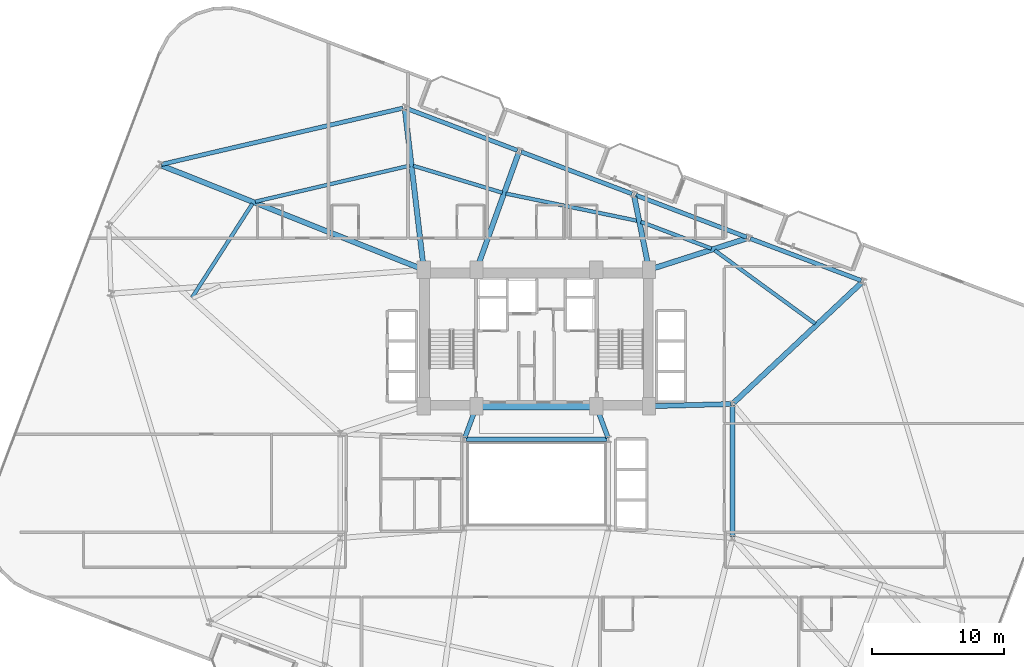
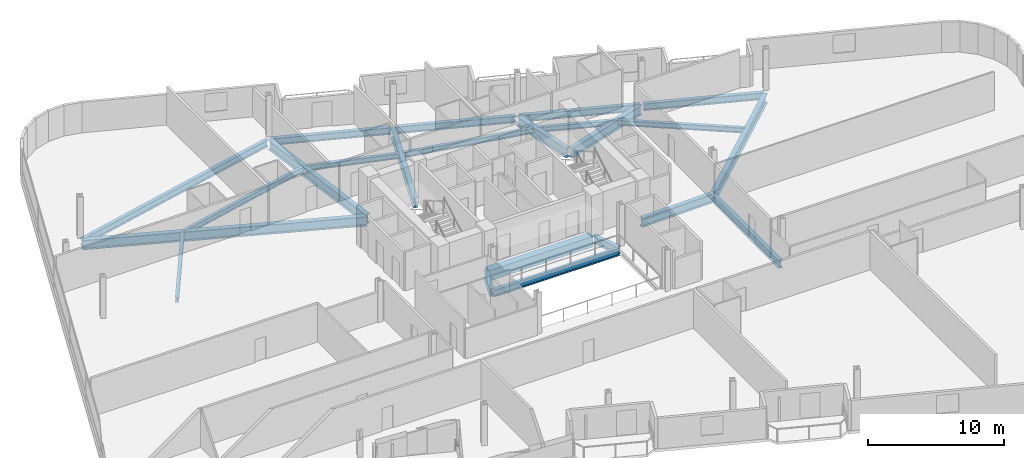
# One storey, part 9 of 24: 23 beams.
"""IFC4 building model written with IfcOpenShell, lengths in metres."""

from ifc_helpers import new_model, si_unit, direction, frame, origin, origin_2d, place, context, subcontext, project, spatial, rectangle, i_section, extrude, material, material_profile, profile_set, type_object, element, save


model = new_model("IFC4")

# Units and contexts
model_context = context("Model", 3, precision=1e-05, world=origin(), true_north=direction((0.0, 1.0)))
body_context = subcontext(model_context, "Body", "Model", "MODEL_VIEW")
ifc_project = project(units=[si_unit("LENGTHUNIT", "METRE"), si_unit("AREAUNIT", "SQUARE_METRE"), si_unit("VOLUMEUNIT", "CUBIC_METRE"), si_unit("PLANEANGLEUNIT", "RADIAN"), si_unit("MASSUNIT", "GRAM", prefix="KILO")], contexts=[model_context])

# Site, building, storey
site_placement = place(None, origin())
site = spatial("IfcSite", under=ifc_project, at=site_placement, CompositionType="ELEMENT")
building_placement = place(site_placement, origin())
building = spatial("IfcBuilding", under=site, at=building_placement, Name="Varnelok Gate Tower", CompositionType="ELEMENT")
storey_placement = place(building_placement, frame((0.0, 0.0, 94.699951171875)))
storey = spatial("IfcBuildingStorey", under=building, at=storey_placement, Name="L23", CompositionType="ELEMENT", Elevation=94.699951171875)

# Beams
ifc_material_1 = material(Name="Structural Steel ASTM A992 Grade 50", Category="steel")
ifc_material_profile_1 = material_profile(ifc_material_1, i_section(OverallWidth=0.280029296875, OverallDepth=0.462890625, WebThickness=0.0107421875, FlangeThickness=0.017333984375, FilletRadius=0.014892578125, at=origin_2d()), Name="W18X76")
ifc_profile_set_1 = profile_set([ifc_material_profile_1], Name="Structural Steel ASTM A992 Grade 50")
beam_type_1 = type_object("IfcBeamType", Name="BM-JST-W18X76", PredefinedType="JOIST", material=ifc_profile_set_1)
beam_1_placement = place(storey_placement, frame((60.24609375, 34.977783203125, -0.4814453125), z_axis=(-0.807571934506, 0.589769082437, 0.0), x_axis=(-0.589769082437, -0.807571934506, 0.0)))
element("IfcBeam", 1, at=beam_1_placement, inside=storey, type_object=beam_type_1, Name="L23 Sector Floor Joist 7", PredefinedType="JOIST", context=body_context, shape_type="SweptSolid", body=[
    extrude(i_section(OverallWidth=0.280029296875, OverallDepth=0.462890625, WebThickness=0.0107421875, FlangeThickness=0.017333984375, FilletRadius=0.014892578125, at=origin_2d()), origin(), (0.0, 0.0, 1.0), 9.39892578125),
])
beam_2_placement = place(storey_placement, frame((52.411865234375, 40.6533203125, -0.4814453125), z_axis=(-0.935227094529, 0.35404841711, 0.0), x_axis=(-0.35404841711, -0.935227094529, 0.0)))
element("IfcBeam", 2, at=beam_2_placement, inside=storey, type_object=beam_type_1, Name="L23 Sector Floor Joist 8", PredefinedType="JOIST", context=body_context, shape_type="SweptSolid", body=[
    extrude(i_section(OverallWidth=0.280029296875, OverallDepth=0.462890625, WebThickness=0.0107421875, FlangeThickness=0.017333984375, FilletRadius=0.014892578125, at=origin_2d()), origin(), (0.0, 0.0, 1.0), 5.686279296875),
])
beam_3_placement = place(storey_placement, frame((46.825927734375, 42.744384765625, -0.4814453125), z_axis=(-0.979223334547, 0.2027847654, 0.0), x_axis=(-0.2027847654, -0.979223334547, 0.0)))
element("IfcBeam", 3, at=beam_3_placement, inside=storey, type_object=beam_type_1, Name="L23 Sector Floor Joist 9", PredefinedType="JOIST", context=body_context, shape_type="SweptSolid", body=[
    extrude(i_section(OverallWidth=0.280029296875, OverallDepth=0.462890625, WebThickness=0.0107421875, FlangeThickness=0.017333984375, FilletRadius=0.014892578125, at=origin_2d()), origin(), (0.0, 0.0, 1.0), 10.138427734375),
])
beam_4_placement = place(storey_placement, frame((36.627197265625, 44.868896484375, -0.4814453125), z_axis=(-0.95727163238, 0.289190286561, 0.0), x_axis=(-0.289190286561, -0.95727163238, 0.0)))
element("IfcBeam", 4, at=beam_4_placement, inside=storey, type_object=beam_type_1, Name="L23 Sector Floor Joist 10", PredefinedType="JOIST", context=body_context, shape_type="SweptSolid", body=[
    extrude(i_section(OverallWidth=0.280029296875, OverallDepth=0.462890625, WebThickness=0.0107421875, FlangeThickness=0.017333984375, FilletRadius=0.014892578125, at=origin_2d()), origin(), (0.0, 0.0, 1.0), 7.024658203125),
])
beam_5_placement = place(storey_placement, frame((29.632080078125, 46.9091796875, -0.4814453125), z_axis=(-0.97387671054, -0.227077415581, 0.0), x_axis=(0.227077415581, -0.97387671054, 0.0)))
element("IfcBeam", 5, at=beam_5_placement, inside=storey, type_object=beam_type_1, Name="L23 Sector Floor Joist 11", PredefinedType="JOIST", context=body_context, shape_type="SweptSolid", body=[
    extrude(i_section(OverallWidth=0.280029296875, OverallDepth=0.462890625, WebThickness=0.0107421875, FlangeThickness=0.017333984375, FilletRadius=0.014892578125, at=origin_2d()), origin(), (0.0, 0.0, 1.0), 11.967529296875),
])
beam_6_placement = place(storey_placement, frame((17.76513671875, 44.042236328125, -0.4814453125), z_axis=(-0.541225979602, -0.840877184257, 0.0), x_axis=(0.840877184257, -0.541225979602, 0.0)))
element("IfcBeam", 6, at=beam_6_placement, inside=storey, type_object=beam_type_1, Name="L23 Sector Floor Joist 12", PredefinedType="JOIST", context=body_context, shape_type="SweptSolid", body=[
    extrude(i_section(OverallWidth=0.280029296875, OverallDepth=0.462890625, WebThickness=0.0107421875, FlangeThickness=0.017333984375, FilletRadius=0.014892578125, at=origin_2d()), origin(), (0.0, 0.0, 1.0), 8.428466796875),
])
ifc_material_2 = material(Name="Concrete C60/75", Category="concrete")
ifc_material_profile_2 = material_profile(ifc_material_2, rectangle(XDim=0.60009765625, YDim=0.949951171875, at=origin_2d()), Name="RC950X600")
ifc_profile_set_2 = profile_set([ifc_material_profile_2], Name="Concrete C60/75")
beam_type_2 = type_object("IfcBeamType", Name="BM-LNT-RC950", PredefinedType="LINTEL", material=ifc_profile_set_2)
beam_7_placement = place(storey_placement, frame((34.800048828125, 28.75, -0.724853515625), z_axis=(1.0, 0.0, 0.0), x_axis=(0.0, 1.0, 0.0)))
element("IfcBeam", 7, at=beam_7_placement, inside=storey, type_object=beam_type_2, Name="L23 Core-Atrium Spine Beam 7", PredefinedType="LINTEL", context=body_context, shape_type="SweptSolid", body=[
    extrude(rectangle(XDim=0.60009765625, YDim=0.949951171875, at=origin_2d()), origin(), (0.0, 0.0, 1.0), 8.800048828125),
])
ifc_material_profile_3 = material_profile(ifc_material_1, i_section(OverallWidth=0.35498046875, OverallDepth=0.696044921875, WebThickness=0.015380859375, FlangeThickness=0.02490234375, FilletRadius=0.02001953125, at=origin_2d()), Name="W27X146")
ifc_profile_set_3 = profile_set([ifc_material_profile_3], Name="Structural Steel ASTM A992 Grade 50")
beam_type_3 = type_object("IfcBeamType", Name="BM-PRI-W27X146", PredefinedType="BEAM", material=ifc_profile_set_3)
for number, where, z_axis, x_axis, name in (
    (8, (33.791748046875, 26.362548828125, -0.597900390625), (0.348719329408, 0.937227202602, 0.0), (-0.937227202602, 0.348719329408, 0.0), "L23 Core-Atrium Spine Beam 12"),
    (9, (44.608154296875, 26.362548828125, -0.597900390625), (-0.348719329408, 0.937227202602, 0.0), (-0.937227202602, -0.348719329408, 0.0), "L23 Core-Atrium Spine Beam 13"),
):
    element("IfcBeam", number, at=place(storey_placement, frame(where, z_axis=z_axis, x_axis=x_axis)), inside=storey, type_object=beam_type_3, Name=name, PredefinedType="BEAM", context=body_context, shape_type="SweptSolid", body=[
        extrude(i_section(OverallWidth=0.35498046875, OverallDepth=0.696044921875, WebThickness=0.015380859375, FlangeThickness=0.02490234375, FilletRadius=0.02001953125, at=origin_2d()), origin(), (0.0, 0.0, 1.0), 2.42724609375),
    ])
beam_8_placement = place(storey_placement, frame((54.0, 18.919921875, -0.597900390625), z_axis=(0.0, 1.0, 0.0), x_axis=(-1.0, 0.0, 0.0)))
element("IfcBeam", 10, at=beam_8_placement, inside=storey, type_object=beam_type_3, Name="L23 Core-Atrium Spine Beam 20", PredefinedType="BEAM", context=body_context, shape_type="SweptSolid", body=[
    extrude(i_section(OverallWidth=0.35498046875, OverallDepth=0.696044921875, WebThickness=0.015380859375, FlangeThickness=0.02490234375, FilletRadius=0.02001953125, at=origin_2d()), origin(), (0.0, 0.0, 1.0), 9.880126953125),
])
ifc_material_profile_4 = material_profile(ifc_material_1, i_section(OverallWidth=0.381103515625, OverallDepth=0.77294921875, WebThickness=0.0166015625, FlangeThickness=0.027099609375, FilletRadius=0.02197265625, at=origin_2d()), Name="W30X173")
ifc_profile_set_4 = profile_set([ifc_material_profile_4], Name="Structural Steel ASTM A992 Grade 50")
beam_type_4 = type_object("IfcBeamType", Name="BM-PRI-W30X173", PredefinedType="BEAM", material=ifc_profile_set_4)
beam_9_placement = place(storey_placement, frame((47.820068359375, 28.753173828125, -0.636474609375), z_axis=(0.999635880609, 0.026983443053, 0.0), x_axis=(-0.026983443053, 0.999635880609, 0.0)))
element("IfcBeam", 11, at=beam_9_placement, inside=storey, type_object=beam_type_4, Name="L23 Core-Atrium Spine Beam 19", PredefinedType="BEAM", context=body_context, shape_type="SweptSolid", body=[
    extrude(i_section(OverallWidth=0.381103515625, OverallDepth=0.77294921875, WebThickness=0.0166015625, FlangeThickness=0.027099609375, FilletRadius=0.02197265625, at=origin_2d()), origin(), (0.0, 0.0, 1.0), 6.06201171875),
])
ifc_material_profile_5 = material_profile(ifc_material_1, i_section(OverallWidth=0.39892578125, OverallDepth=0.85498046875, WebThickness=0.018310546875, FlangeThickness=0.029296875, FilletRadius=0.02392578125, at=origin_2d()), Name="W33X201")
ifc_profile_set_5 = profile_set([ifc_material_profile_5], Name="Structural Steel ASTM A992 Grade 50")
beam_type_5 = type_object("IfcBeamType", Name="BM-PRI-W33X201", PredefinedType="BEAM", material=ifc_profile_set_5)
beam_10_placement = place(storey_placement, frame((54.109375, 29.022705078125, -0.677490234375), z_axis=(0.728763782129, 0.684765178624, 0.0), x_axis=(-0.684765178624, 0.728763782129, 0.0)))
element("IfcBeam", 12, at=beam_10_placement, inside=storey, type_object=beam_type_5, Name="L23 Radial Floor Girder 9", PredefinedType="BEAM", context=body_context, shape_type="SweptSolid", body=[
    extrude(i_section(OverallWidth=0.39892578125, OverallDepth=0.85498046875, WebThickness=0.018310546875, FlangeThickness=0.029296875, FilletRadius=0.02392578125, at=origin_2d()), origin(), (0.0, 0.0, 1.0), 13.228515625),
])
beam_11_placement = place(storey_placement, frame((47.8427734375, 39.095703125, -0.677490234375), z_axis=(0.952189173648, 0.305509046656, 0.0), x_axis=(-0.305509046656, 0.952189173648, 0.0)))
element("IfcBeam", 13, at=beam_11_placement, inside=storey, type_object=beam_type_5, Name="L23 Radial Floor Girder 10", PredefinedType="BEAM", context=body_context, shape_type="SweptSolid", body=[
    extrude(i_section(OverallWidth=0.39892578125, OverallDepth=0.85498046875, WebThickness=0.018310546875, FlangeThickness=0.029296875, FilletRadius=0.02392578125, at=origin_2d()), origin(), (0.0, 0.0, 1.0), 7.585205078125),
])
beam_12_placement = place(storey_placement, frame((47.67041015625, 39.197021484375, -0.677490234375), z_axis=(-0.19708105208, 0.980387198463, 0.0), x_axis=(-0.980387198463, -0.19708105208, 0.0)))
element("IfcBeam", 14, at=beam_12_placement, inside=storey, type_object=beam_type_5, Name="L23 Radial Floor Girder 11", PredefinedType="BEAM", context=body_context, shape_type="SweptSolid", body=[
    extrude(i_section(OverallWidth=0.39892578125, OverallDepth=0.85498046875, WebThickness=0.018310546875, FlangeThickness=0.029296875, FilletRadius=0.02392578125, at=origin_2d()), origin(), (0.0, 0.0, 1.0), 5.497802734375),
])
beam_13_placement = place(storey_placement, frame((34.730712890625, 39.191162109375, -0.677490234375), z_axis=(0.338850703631, 0.940840156801, 0.0), x_axis=(-0.940840156801, 0.338850703631, 0.0)))
element("IfcBeam", 15, at=beam_13_placement, inside=storey, type_object=beam_type_5, Name="L23 Radial Floor Girder 12", PredefinedType="BEAM", context=body_context, shape_type="SweptSolid", body=[
    extrude(i_section(OverallWidth=0.39892578125, OverallDepth=0.85498046875, WebThickness=0.018310546875, FlangeThickness=0.029296875, FilletRadius=0.02392578125, at=origin_2d()), origin(), (0.0, 0.0, 1.0), 9.222412109375),
])
beam_14_placement = place(storey_placement, frame((30.682373046875, 39.198974609375, -0.677490234375), z_axis=(-0.117226632165, 0.993105189147, 0.0), x_axis=(-0.993105189147, -0.117226632165, 0.0)))
element("IfcBeam", 16, at=beam_14_placement, inside=storey, type_object=beam_type_5, Name="L23 Radial Floor Girder 13", PredefinedType="BEAM", context=body_context, shape_type="SweptSolid", body=[
    extrude(i_section(OverallWidth=0.39892578125, OverallDepth=0.85498046875, WebThickness=0.018310546875, FlangeThickness=0.029296875, FilletRadius=0.02392578125, at=origin_2d()), origin(), (0.0, 0.0, 1.0), 12.018798828125),
])
beam_15_placement = place(storey_placement, frame((30.560546875, 39.10546875, -0.677490234375), z_axis=(-0.929316441243, 0.369284378271, 0.0), x_axis=(-0.369284378271, -0.929316441243, 0.0)))
element("IfcBeam", 17, at=beam_15_placement, inside=storey, type_object=beam_type_5, Name="L23 Radial Floor Girder 14", PredefinedType="BEAM", context=body_context, shape_type="SweptSolid", body=[
    extrude(i_section(OverallWidth=0.39892578125, OverallDepth=0.85498046875, WebThickness=0.018310546875, FlangeThickness=0.029296875, FilletRadius=0.02392578125, at=origin_2d()), origin(), (0.0, 0.0, 1.0), 21.153076171875),
])
ifc_material_profile_6 = material_profile(ifc_material_1, i_section(OverallWidth=0.323974609375, OverallDepth=0.611083984375, WebThickness=0.0126953125, FlangeThickness=0.01904296875, FilletRadius=0.01806640625, at=origin_2d()), Name="W24X104")
ifc_profile_set_6 = profile_set([ifc_material_profile_6], Name="Structural Steel ASTM A992 Grade 50")
beam_type_6 = type_object("IfcBeamType", Name="BM-SPN-W24X104", PredefinedType="SPANDREL", material=ifc_profile_set_6)
beam_16_placement = place(storey_placement, frame((33.8701171875, 26.25, -0.555419921875), z_axis=(1.0, 0.0, 0.0), x_axis=(0.0, 1.0, 0.0)))
element("IfcBeam", 18, at=beam_16_placement, inside=storey, type_object=beam_type_6, Name="L23 Core-Atrium Spine Beam 9", PredefinedType="SPANDREL", context=body_context, shape_type="SweptSolid", body=[
    extrude(i_section(OverallWidth=0.323974609375, OverallDepth=0.611083984375, WebThickness=0.0126953125, FlangeThickness=0.01904296875, FilletRadius=0.01806640625, at=origin_2d()), origin(), (0.0, 0.0, 1.0), 10.659912109375),
])
beam_17_placement = place(storey_placement, frame((63.71875, 38.23681640625, -0.555419921875), z_axis=(-0.935220356141, 0.354066216208, 0.0), x_axis=(-0.354066216208, -0.935220356141, 0.0)))
element("IfcBeam", 19, at=beam_17_placement, inside=storey, type_object=beam_type_6, Name="L23 Perimeter Spandrel Beam 9", PredefinedType="SPANDREL", context=body_context, shape_type="SweptSolid", body=[
    extrude(i_section(OverallWidth=0.323974609375, OverallDepth=0.611083984375, WebThickness=0.0126953125, FlangeThickness=0.01904296875, FilletRadius=0.01806640625, at=origin_2d()), origin(), (0.0, 0.0, 1.0), 8.9501953125),
])
for number, where, z_axis, x_axis, name in (
    (20, (55.06787109375, 41.511962890625, -0.555419921875), (-0.935216936382, 0.354075248928, 0.0), (-0.354075248928, -0.935216936382, 0.0), "L23 Perimeter Spandrel Beam 10"),
    (21, (46.4169921875, 44.787109375, -0.555419921875), (-0.935225969099, 0.354051389947, 0.0), (-0.354051389947, -0.935225969099, 0.0), "L23 Perimeter Spandrel Beam 11"),
):
    element("IfcBeam", number, at=place(storey_placement, frame(where, z_axis=z_axis, x_axis=x_axis)), inside=storey, type_object=beam_type_6, Name=name, PredefinedType="SPANDREL", context=body_context, shape_type="SweptSolid", body=[
        extrude(i_section(OverallWidth=0.323974609375, OverallDepth=0.611083984375, WebThickness=0.0126953125, FlangeThickness=0.01904296875, FilletRadius=0.01806640625, at=origin_2d()), origin(), (0.0, 0.0, 1.0), 8.949951171875),
    ])
beam_18_placement = place(storey_placement, frame((37.766357421875, 48.06201171875, -0.555419921875), z_axis=(-0.935220356141, 0.354066216208, 0.0), x_axis=(-0.354066216208, -0.935220356141, 0.0)))
element("IfcBeam", 22, at=beam_18_placement, inside=storey, type_object=beam_type_6, Name="L23 Perimeter Spandrel Beam 12", PredefinedType="SPANDREL", context=body_context, shape_type="SweptSolid", body=[
    extrude(i_section(OverallWidth=0.323974609375, OverallDepth=0.611083984375, WebThickness=0.0126953125, FlangeThickness=0.01904296875, FilletRadius=0.01806640625, at=origin_2d()), origin(), (0.0, 0.0, 1.0), 8.9501953125),
])
beam_19_placement = place(storey_placement, frame((29.109619140625, 51.25, -0.555419921875), z_axis=(-0.973877429001, -0.227074334266, 0.0), x_axis=(0.227074334266, -0.973877429001, 0.0)))
element("IfcBeam", 23, at=beam_19_placement, inside=storey, type_object=beam_type_6, Name="L23 Perimeter Spandrel Beam 13", PredefinedType="SPANDREL", context=body_context, shape_type="SweptSolid", body=[
    extrude(i_section(OverallWidth=0.323974609375, OverallDepth=0.611083984375, WebThickness=0.0126953125, FlangeThickness=0.01904296875, FilletRadius=0.01806640625, at=origin_2d()), origin(), (0.0, 0.0, 1.0), 18.6884765625),
])

save(model, "model.ifc")
